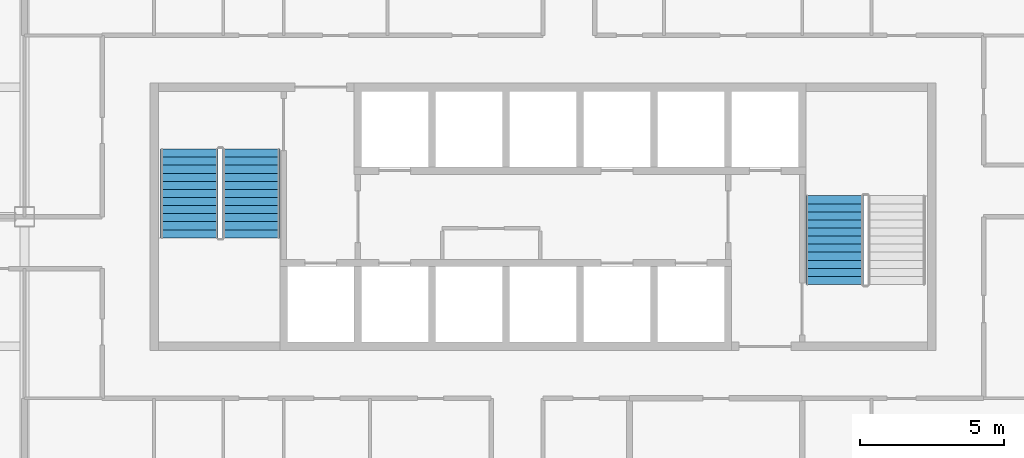
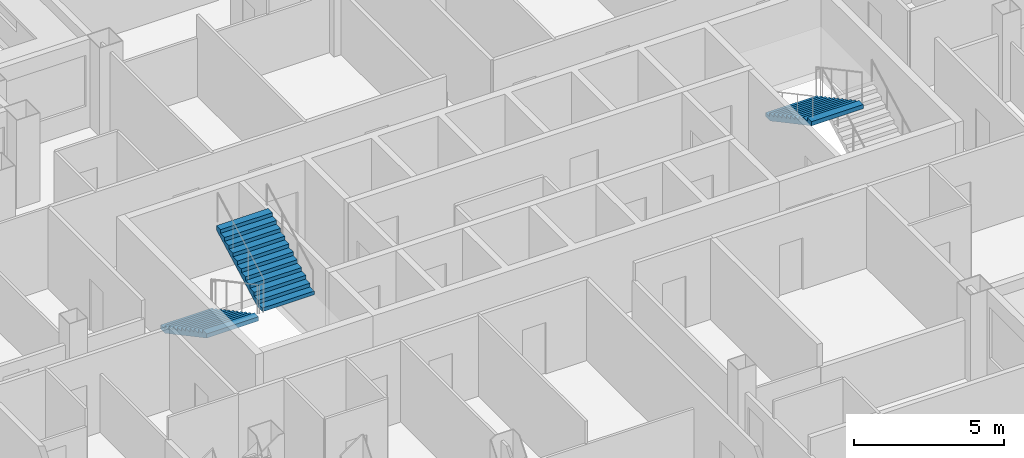
# One storey, part 11 of 15: 3 stair flights, 2 elements without a shape of their own.
"""IFC4 building model written with IfcOpenShell, lengths in metres."""

from ifc_helpers import new_model, si_unit, direction, frame, origin, place, context, subcontext, project, spatial, polygons, material, type_object, element, aggregate, save


model = new_model("IFC4")

# Units and contexts
model_context = context("Model", 3, precision=1e-05, world=origin(), true_north=direction((0.0, 1.0)))
body_context = subcontext(model_context, "Body", "Model", "MODEL_VIEW")
ifc_project = project(units=[si_unit("LENGTHUNIT", "METRE"), si_unit("AREAUNIT", "SQUARE_METRE"), si_unit("VOLUMEUNIT", "CUBIC_METRE"), si_unit("PLANEANGLEUNIT", "RADIAN"), si_unit("MASSUNIT", "GRAM", prefix="KILO")], contexts=[model_context])

# Site, building, storey
site_placement = place(None, origin())
site = spatial("IfcSite", under=ifc_project, at=site_placement, CompositionType="ELEMENT")
building_placement = place(site_placement, origin())
building = spatial("IfcBuilding", under=site, at=building_placement, Name="Caravel Reach Hotel and Residences", CompositionType="ELEMENT")
storey_placement = place(building_placement, frame((0.0, 0.0, 108.0)))
storey = spatial("IfcBuildingStorey", under=building, at=storey_placement, Name="L26", CompositionType="ELEMENT", Elevation=108.0)

# Stair, stair flights
ifc_material_1 = material(Name="Concrete C40", Category="concrete")
stair_type = type_object("IfcStairType", Name="Core stair", PredefinedType="HALF_TURN_STAIR", material=ifc_material_1)
stair_1_placement = place(storey_placement, origin())
stair_1 = element("IfcStair", 1, at=stair_1_placement, inside=storey, type_object=stair_type, Name="L26 Exit stair A", PredefinedType="HALF_TURN_STAIR")
ifc_material_2 = material(Name="Concrete C40", Category="concrete")
stair_flight_type = type_object("IfcStairFlightType", Name="Core stair flight", PredefinedType="STRAIGHT", material=ifc_material_2)
stair_flight_1_placement = place(storey_placement, frame((19.22509765625, 29.35009765625, 0.0), z_axis=(0.0, 0.0, 1.0), x_axis=(0.0, -1.0, 0.0)))
stair_flight_1 = element("IfcStairFlight", 2, at=stair_flight_1_placement, type_object=stair_flight_type, Name="ST-A flight 1", NumberOfRisers=12, NumberOfTreads=11, PredefinedType="STRAIGHT", RiserHeight=0.15, TreadLength=0.28, context=body_context, shape_type="Tessellation", body=[
    polygons([(0.3174408016601862, 1.0, 0.0), (0.3174408016601862, 0.6666666666666667, 0.0), (0.3174408016601862, 0.33333333333333337, 0.0), (0.3174408016601862, 0.0, 0.0), (0.3174408016601862, -0.33333333333333326, 0.0), (0.3174408016601862, -0.6666666666666667, 0.0), (0.3174408016601862, -1.0, 0.0), (3.081, 1.0, 1.479942427682043), (3.081, 0.6666666666666667, 1.479942427682043), (3.081, 0.33333333333333337, 1.479942427682043), (3.081, 0.0, 1.479942427682043), (3.081, -0.33333333333333326, 1.479942427682043), (3.081, -0.6666666666666667, 1.479942427682043), (3.081, -1.0, 1.479942427682043), (3.081, 1.0, 1.65), (3.081, 0.6666666666666667, 1.65), (3.081, 0.33333333333333337, 1.65), (3.081, 0.0, 1.65), (3.081, -0.33333333333333326, 1.65), (3.081, -0.6666666666666667, 1.65), (3.081, -1.0, 1.65), (2.8000000000000003, 1.0, 1.65), (2.8000000000000003, 0.6666666666666667, 1.65), (2.8000000000000003, 0.33333333333333337, 1.65), (2.8000000000000003, 0.0, 1.65), (2.8000000000000003, -0.33333333333333326, 1.65), (2.8000000000000003, -0.6666666666666667, 1.65), (2.8000000000000003, -1.0, 1.65), (2.8000000000000003, 1.0, 1.5), (2.8000000000000003, 0.6666666666666667, 1.5), (2.8000000000000003, 0.33333333333333337, 1.5), (2.8000000000000003, 0.0, 1.5), (2.8000000000000003, -0.33333333333333326, 1.5), (2.8000000000000003, -0.6666666666666667, 1.5), (2.8000000000000003, -1.0, 1.5), (2.5200000000000005, 1.0, 1.5), (2.5200000000000005, 0.6666666666666667, 1.5), (2.5200000000000005, 0.33333333333333337, 1.5), (2.5200000000000005, 0.0, 1.5), (2.5200000000000005, -0.33333333333333326, 1.5), (2.5200000000000005, -0.6666666666666667, 1.5), (2.5200000000000005, -1.0, 1.5), (2.5200000000000005, 1.0, 1.3499999999999999), (2.5200000000000005, 0.6666666666666667, 1.3499999999999999), (2.5200000000000005, 0.33333333333333337, 1.3499999999999999), (2.5200000000000005, 0.0, 1.3499999999999999), (2.5200000000000005, -0.33333333333333326, 1.3499999999999999), (2.5200000000000005, -0.6666666666666667, 1.3499999999999999), (2.5200000000000005, -1.0, 1.3499999999999999), (2.24, 1.0, 1.3499999999999999), (2.24, 0.6666666666666667, 1.3499999999999999), (2.24, 0.33333333333333337, 1.3499999999999999), (2.24, 0.0, 1.3499999999999999), (2.24, -0.33333333333333326, 1.3499999999999999), (2.24, -0.6666666666666667, 1.3499999999999999), (2.24, -1.0, 1.3499999999999999), (2.24, 1.0, 1.2), (2.24, 0.6666666666666667, 1.2), (2.24, 0.33333333333333337, 1.2), (2.24, 0.0, 1.2), (2.24, -0.33333333333333326, 1.2), (2.24, -0.6666666666666667, 1.2), (2.24, -1.0, 1.2), (1.9600000000000002, 1.0, 1.2), (1.9600000000000002, 0.6666666666666667, 1.2), (1.9600000000000002, 0.33333333333333337, 1.2), (1.9600000000000002, 0.0, 1.2), (1.9600000000000002, -0.33333333333333326, 1.2), (1.9600000000000002, -0.6666666666666667, 1.2), (1.9600000000000002, -1.0, 1.2), (1.9600000000000002, 1.0, 1.05), (1.9600000000000002, 0.6666666666666667, 1.05), (1.9600000000000002, 0.33333333333333337, 1.05), (1.9600000000000002, 0.0, 1.05), (1.9600000000000002, -0.33333333333333326, 1.05), (1.9600000000000002, -0.6666666666666667, 1.05), (1.9600000000000002, -1.0, 1.05), (1.6800000000000002, 1.0, 1.05), (1.6800000000000002, 0.6666666666666667, 1.05), (1.6800000000000002, 0.33333333333333337, 1.05), (1.6800000000000002, 0.0, 1.05), (1.6800000000000002, -0.33333333333333326, 1.05), (1.6800000000000002, -0.6666666666666667, 1.05), (1.6800000000000002, -1.0, 1.05), (1.6800000000000002, 1.0, 0.8999999999999999), (1.6800000000000002, 0.6666666666666667, 0.8999999999999999), (1.6800000000000002, 0.33333333333333337, 0.8999999999999999), (1.6800000000000002, 0.0, 0.8999999999999999), (1.6800000000000002, -0.33333333333333326, 0.8999999999999999), (1.6800000000000002, -0.6666666666666667, 0.8999999999999999), (1.6800000000000002, -1.0, 0.8999999999999999), (1.4000000000000001, 1.0, 0.8999999999999999), (1.4000000000000001, 0.6666666666666667, 0.8999999999999999), (1.4000000000000001, 0.33333333333333337, 0.8999999999999999), (1.4000000000000001, 0.0, 0.8999999999999999), (1.4000000000000001, -0.33333333333333326, 0.8999999999999999), (1.4000000000000001, -0.6666666666666667, 0.8999999999999999), (1.4000000000000001, -1.0, 0.8999999999999999), (1.4000000000000001, 1.0, 0.75), (1.4000000000000001, 0.6666666666666667, 0.75), (1.4000000000000001, 0.33333333333333337, 0.75), (1.4000000000000001, 0.0, 0.75), (1.4000000000000001, -0.33333333333333326, 0.75), (1.4000000000000001, -0.6666666666666667, 0.75), (1.4000000000000001, -1.0, 0.75), (1.12, 1.0, 0.75), (1.12, 0.6666666666666667, 0.75), (1.12, 0.33333333333333337, 0.75), (1.12, 0.0, 0.75), (1.12, -0.33333333333333326, 0.75), (1.12, -0.6666666666666667, 0.75), (1.12, -1.0, 0.75), (1.12, 1.0, 0.6), (1.12, 0.6666666666666667, 0.6), (1.12, 0.33333333333333337, 0.6), (1.12, 0.0, 0.6), (1.12, -0.33333333333333326, 0.6), (1.12, -0.6666666666666667, 0.6), (1.12, -1.0, 0.6), (0.8400000000000001, 1.0, 0.6), (0.8400000000000001, 0.6666666666666667, 0.6), (0.8400000000000001, 0.33333333333333337, 0.6), (0.8400000000000001, 0.0, 0.6), (0.8400000000000001, -0.33333333333333326, 0.6), (0.8400000000000001, -0.6666666666666667, 0.6), (0.8400000000000001, -1.0, 0.6), (0.8400000000000001, 1.0, 0.44999999999999996), (0.8400000000000001, 0.6666666666666667, 0.44999999999999996), (0.8400000000000001, 0.33333333333333337, 0.44999999999999996), (0.8400000000000001, 0.0, 0.44999999999999996), (0.8400000000000001, -0.33333333333333326, 0.44999999999999996), (0.8400000000000001, -0.6666666666666667, 0.44999999999999996), (0.8400000000000001, -1.0, 0.44999999999999996), (0.56, 1.0, 0.44999999999999996), (0.56, 0.6666666666666667, 0.44999999999999996), (0.56, 0.33333333333333337, 0.44999999999999996), (0.56, 0.0, 0.44999999999999996), (0.56, -0.33333333333333326, 0.44999999999999996), (0.56, -0.6666666666666667, 0.44999999999999996), (0.56, -1.0, 0.44999999999999996), (0.56, 1.0, 0.3), (0.56, 0.6666666666666667, 0.3), (0.56, 0.33333333333333337, 0.3), (0.56, 0.0, 0.3), (0.56, -0.33333333333333326, 0.3), (0.56, -0.6666666666666667, 0.3), (0.56, -1.0, 0.3), (0.28, 1.0, 0.3), (0.28, 0.6666666666666667, 0.3), (0.28, 0.33333333333333337, 0.3), (0.28, 0.0, 0.3), (0.28, -0.33333333333333326, 0.3), (0.28, -0.6666666666666667, 0.3), (0.28, -1.0, 0.3), (0.28, 1.0, 0.15), (0.28, 0.6666666666666667, 0.15), (0.28, 0.33333333333333337, 0.15), (0.28, 0.0, 0.15), (0.28, -0.33333333333333326, 0.15), (0.28, -0.6666666666666667, 0.15), (0.28, -1.0, 0.15), (-0.001, 1.0, 0.15), (-0.001, 0.6666666666666667, 0.15), (-0.001, 0.33333333333333337, 0.15), (-0.001, 0.0, 0.15), (-0.001, -0.33333333333333326, 0.15), (-0.001, -0.6666666666666667, 0.15), (-0.001, -1.0, 0.15), (-0.001, 1.0, 0.0), (-0.001, 0.6666666666666667, 0.0), (-0.001, 0.33333333333333337, 0.0), (-0.001, 0.0, 0.0), (-0.001, -0.33333333333333326, 0.0), (-0.001, -0.6666666666666667, 0.0), (-0.001, -1.0, 0.0)], [[[169, 162, 155, 148, 141, 134, 127, 120, 113, 106, 99, 92, 85, 78, 71, 64, 57, 50, 43, 36, 29, 22, 15, 8, 1]], [[7, 14, 21, 28, 35, 42, 49, 56, 63, 70, 77, 84, 91, 98, 105, 112, 119, 126, 133, 140, 147, 154, 161, 168, 175]], [[1, 8, 9, 2]], [[2, 9, 10, 3]], [[3, 10, 11, 4]], [[4, 11, 12, 5]], [[5, 12, 13, 6]], [[6, 13, 14, 7]], [[8, 15, 16, 9]], [[9, 16, 17, 10]], [[10, 17, 18, 11]], [[11, 18, 19, 12]], [[12, 19, 20, 13]], [[13, 20, 21, 14]], [[15, 22, 23, 16]], [[16, 23, 24, 17]], [[17, 24, 25, 18]], [[18, 25, 26, 19]], [[19, 26, 27, 20]], [[20, 27, 28, 21]], [[22, 29, 30, 23]], [[23, 30, 31, 24]], [[24, 31, 32, 25]], [[25, 32, 33, 26]], [[26, 33, 34, 27]], [[27, 34, 35, 28]], [[29, 36, 37, 30]], [[30, 37, 38, 31]], [[31, 38, 39, 32]], [[32, 39, 40, 33]], [[33, 40, 41, 34]], [[34, 41, 42, 35]], [[36, 43, 44, 37]], [[37, 44, 45, 38]], [[38, 45, 46, 39]], [[39, 46, 47, 40]], [[40, 47, 48, 41]], [[41, 48, 49, 42]], [[43, 50, 51, 44]], [[44, 51, 52, 45]], [[45, 52, 53, 46]], [[46, 53, 54, 47]], [[47, 54, 55, 48]], [[48, 55, 56, 49]], [[50, 57, 58, 51]], [[51, 58, 59, 52]], [[52, 59, 60, 53]], [[53, 60, 61, 54]], [[54, 61, 62, 55]], [[55, 62, 63, 56]], [[57, 64, 65, 58]], [[58, 65, 66, 59]], [[59, 66, 67, 60]], [[60, 67, 68, 61]], [[61, 68, 69, 62]], [[62, 69, 70, 63]], [[64, 71, 72, 65]], [[65, 72, 73, 66]], [[66, 73, 74, 67]], [[67, 74, 75, 68]], [[68, 75, 76, 69]], [[69, 76, 77, 70]], [[71, 78, 79, 72]], [[72, 79, 80, 73]], [[73, 80, 81, 74]], [[74, 81, 82, 75]], [[75, 82, 83, 76]], [[76, 83, 84, 77]], [[78, 85, 86, 79]], [[79, 86, 87, 80]], [[80, 87, 88, 81]], [[81, 88, 89, 82]], [[82, 89, 90, 83]], [[83, 90, 91, 84]], [[85, 92, 93, 86]], [[86, 93, 94, 87]], [[87, 94, 95, 88]], [[88, 95, 96, 89]], [[89, 96, 97, 90]], [[90, 97, 98, 91]], [[92, 99, 100, 93]], [[93, 100, 101, 94]], [[94, 101, 102, 95]], [[95, 102, 103, 96]], [[96, 103, 104, 97]], [[97, 104, 105, 98]], [[99, 106, 107, 100]], [[100, 107, 108, 101]], [[101, 108, 109, 102]], [[102, 109, 110, 103]], [[103, 110, 111, 104]], [[104, 111, 112, 105]], [[106, 113, 114, 107]], [[107, 114, 115, 108]], [[108, 115, 116, 109]], [[109, 116, 117, 110]], [[110, 117, 118, 111]], [[111, 118, 119, 112]], [[113, 120, 121, 114]], [[114, 121, 122, 115]], [[115, 122, 123, 116]], [[116, 123, 124, 117]], [[117, 124, 125, 118]], [[118, 125, 126, 119]], [[120, 127, 128, 121]], [[121, 128, 129, 122]], [[122, 129, 130, 123]], [[123, 130, 131, 124]], [[124, 131, 132, 125]], [[125, 132, 133, 126]], [[127, 134, 135, 128]], [[128, 135, 136, 129]], [[129, 136, 137, 130]], [[130, 137, 138, 131]], [[131, 138, 139, 132]], [[132, 139, 140, 133]], [[134, 141, 142, 135]], [[135, 142, 143, 136]], [[136, 143, 144, 137]], [[137, 144, 145, 138]], [[138, 145, 146, 139]], [[139, 146, 147, 140]], [[141, 148, 149, 142]], [[142, 149, 150, 143]], [[143, 150, 151, 144]], [[144, 151, 152, 145]], [[145, 152, 153, 146]], [[146, 153, 154, 147]], [[148, 155, 156, 149]], [[149, 156, 157, 150]], [[150, 157, 158, 151]], [[151, 158, 159, 152]], [[152, 159, 160, 153]], [[153, 160, 161, 154]], [[155, 162, 163, 156]], [[156, 163, 164, 157]], [[157, 164, 165, 158]], [[158, 165, 166, 159]], [[159, 166, 167, 160]], [[160, 167, 168, 161]], [[162, 169, 170, 163]], [[163, 170, 171, 164]], [[164, 171, 172, 165]], [[165, 172, 173, 166]], [[166, 173, 174, 167]], [[167, 174, 175, 168]], [[169, 1, 2, 170]], [[170, 2, 3, 171]], [[171, 3, 4, 172]], [[172, 4, 5, 173]], [[173, 5, 6, 174]], [[174, 6, 7, 175]]], closed=True),
])
stair_flight_2_placement = place(storey_placement, frame((21.375, 26.27001953125, 1.800048828125), z_axis=(0.0, 0.0, 1.0), x_axis=(0.0, 1.0, 0.0)))
stair_flight_2 = element("IfcStairFlight", 3, at=stair_flight_2_placement, type_object=stair_flight_type, Name="ST-A flight 2", NumberOfRisers=12, NumberOfTreads=11, PredefinedType="STRAIGHT", RiserHeight=0.15, TreadLength=0.28, context=body_context, shape_type="Tessellation", body=[
    polygons([(0.3174408016601862, 1.0, 0.0), (0.3174408016601862, 0.6666666666666667, 0.0), (0.3174408016601862, 0.33333333333333337, 0.0), (0.3174408016601862, 0.0, 0.0), (0.3174408016601862, -0.33333333333333326, 0.0), (0.3174408016601862, -0.6666666666666667, 0.0), (0.3174408016601862, -1.0, 0.0), (3.081, 1.0, 1.479942427682043), (3.081, 0.6666666666666667, 1.479942427682043), (3.081, 0.33333333333333337, 1.479942427682043), (3.081, 0.0, 1.479942427682043), (3.081, -0.33333333333333326, 1.479942427682043), (3.081, -0.6666666666666667, 1.479942427682043), (3.081, -1.0, 1.479942427682043), (3.081, 1.0, 1.65), (3.081, 0.6666666666666667, 1.65), (3.081, 0.33333333333333337, 1.65), (3.081, 0.0, 1.65), (3.081, -0.33333333333333326, 1.65), (3.081, -0.6666666666666667, 1.65), (3.081, -1.0, 1.65), (2.8000000000000003, 1.0, 1.65), (2.8000000000000003, 0.6666666666666667, 1.65), (2.8000000000000003, 0.33333333333333337, 1.65), (2.8000000000000003, 0.0, 1.65), (2.8000000000000003, -0.33333333333333326, 1.65), (2.8000000000000003, -0.6666666666666667, 1.65), (2.8000000000000003, -1.0, 1.65), (2.8000000000000003, 1.0, 1.5), (2.8000000000000003, 0.6666666666666667, 1.5), (2.8000000000000003, 0.33333333333333337, 1.5), (2.8000000000000003, 0.0, 1.5), (2.8000000000000003, -0.33333333333333326, 1.5), (2.8000000000000003, -0.6666666666666667, 1.5), (2.8000000000000003, -1.0, 1.5), (2.5200000000000005, 1.0, 1.5), (2.5200000000000005, 0.6666666666666667, 1.5), (2.5200000000000005, 0.33333333333333337, 1.5), (2.5200000000000005, 0.0, 1.5), (2.5200000000000005, -0.33333333333333326, 1.5), (2.5200000000000005, -0.6666666666666667, 1.5), (2.5200000000000005, -1.0, 1.5), (2.5200000000000005, 1.0, 1.3499999999999999), (2.5200000000000005, 0.6666666666666667, 1.3499999999999999), (2.5200000000000005, 0.33333333333333337, 1.3499999999999999), (2.5200000000000005, 0.0, 1.3499999999999999), (2.5200000000000005, -0.33333333333333326, 1.3499999999999999), (2.5200000000000005, -0.6666666666666667, 1.3499999999999999), (2.5200000000000005, -1.0, 1.3499999999999999), (2.24, 1.0, 1.3499999999999999), (2.24, 0.6666666666666667, 1.3499999999999999), (2.24, 0.33333333333333337, 1.3499999999999999), (2.24, 0.0, 1.3499999999999999), (2.24, -0.33333333333333326, 1.3499999999999999), (2.24, -0.6666666666666667, 1.3499999999999999), (2.24, -1.0, 1.3499999999999999), (2.24, 1.0, 1.2), (2.24, 0.6666666666666667, 1.2), (2.24, 0.33333333333333337, 1.2), (2.24, 0.0, 1.2), (2.24, -0.33333333333333326, 1.2), (2.24, -0.6666666666666667, 1.2), (2.24, -1.0, 1.2), (1.9600000000000002, 1.0, 1.2), (1.9600000000000002, 0.6666666666666667, 1.2), (1.9600000000000002, 0.33333333333333337, 1.2), (1.9600000000000002, 0.0, 1.2), (1.9600000000000002, -0.33333333333333326, 1.2), (1.9600000000000002, -0.6666666666666667, 1.2), (1.9600000000000002, -1.0, 1.2), (1.9600000000000002, 1.0, 1.05), (1.9600000000000002, 0.6666666666666667, 1.05), (1.9600000000000002, 0.33333333333333337, 1.05), (1.9600000000000002, 0.0, 1.05), (1.9600000000000002, -0.33333333333333326, 1.05), (1.9600000000000002, -0.6666666666666667, 1.05), (1.9600000000000002, -1.0, 1.05), (1.6800000000000002, 1.0, 1.05), (1.6800000000000002, 0.6666666666666667, 1.05), (1.6800000000000002, 0.33333333333333337, 1.05), (1.6800000000000002, 0.0, 1.05), (1.6800000000000002, -0.33333333333333326, 1.05), (1.6800000000000002, -0.6666666666666667, 1.05), (1.6800000000000002, -1.0, 1.05), (1.6800000000000002, 1.0, 0.8999999999999999), (1.6800000000000002, 0.6666666666666667, 0.8999999999999999), (1.6800000000000002, 0.33333333333333337, 0.8999999999999999), (1.6800000000000002, 0.0, 0.8999999999999999), (1.6800000000000002, -0.33333333333333326, 0.8999999999999999), (1.6800000000000002, -0.6666666666666667, 0.8999999999999999), (1.6800000000000002, -1.0, 0.8999999999999999), (1.4000000000000001, 1.0, 0.8999999999999999), (1.4000000000000001, 0.6666666666666667, 0.8999999999999999), (1.4000000000000001, 0.33333333333333337, 0.8999999999999999), (1.4000000000000001, 0.0, 0.8999999999999999), (1.4000000000000001, -0.33333333333333326, 0.8999999999999999), (1.4000000000000001, -0.6666666666666667, 0.8999999999999999), (1.4000000000000001, -1.0, 0.8999999999999999), (1.4000000000000001, 1.0, 0.75), (1.4000000000000001, 0.6666666666666667, 0.75), (1.4000000000000001, 0.33333333333333337, 0.75), (1.4000000000000001, 0.0, 0.75), (1.4000000000000001, -0.33333333333333326, 0.75), (1.4000000000000001, -0.6666666666666667, 0.75), (1.4000000000000001, -1.0, 0.75), (1.12, 1.0, 0.75), (1.12, 0.6666666666666667, 0.75), (1.12, 0.33333333333333337, 0.75), (1.12, 0.0, 0.75), (1.12, -0.33333333333333326, 0.75), (1.12, -0.6666666666666667, 0.75), (1.12, -1.0, 0.75), (1.12, 1.0, 0.6), (1.12, 0.6666666666666667, 0.6), (1.12, 0.33333333333333337, 0.6), (1.12, 0.0, 0.6), (1.12, -0.33333333333333326, 0.6), (1.12, -0.6666666666666667, 0.6), (1.12, -1.0, 0.6), (0.8400000000000001, 1.0, 0.6), (0.8400000000000001, 0.6666666666666667, 0.6), (0.8400000000000001, 0.33333333333333337, 0.6), (0.8400000000000001, 0.0, 0.6), (0.8400000000000001, -0.33333333333333326, 0.6), (0.8400000000000001, -0.6666666666666667, 0.6), (0.8400000000000001, -1.0, 0.6), (0.8400000000000001, 1.0, 0.44999999999999996), (0.8400000000000001, 0.6666666666666667, 0.44999999999999996), (0.8400000000000001, 0.33333333333333337, 0.44999999999999996), (0.8400000000000001, 0.0, 0.44999999999999996), (0.8400000000000001, -0.33333333333333326, 0.44999999999999996), (0.8400000000000001, -0.6666666666666667, 0.44999999999999996), (0.8400000000000001, -1.0, 0.44999999999999996), (0.56, 1.0, 0.44999999999999996), (0.56, 0.6666666666666667, 0.44999999999999996), (0.56, 0.33333333333333337, 0.44999999999999996), (0.56, 0.0, 0.44999999999999996), (0.56, -0.33333333333333326, 0.44999999999999996), (0.56, -0.6666666666666667, 0.44999999999999996), (0.56, -1.0, 0.44999999999999996), (0.56, 1.0, 0.3), (0.56, 0.6666666666666667, 0.3), (0.56, 0.33333333333333337, 0.3), (0.56, 0.0, 0.3), (0.56, -0.33333333333333326, 0.3), (0.56, -0.6666666666666667, 0.3), (0.56, -1.0, 0.3), (0.28, 1.0, 0.3), (0.28, 0.6666666666666667, 0.3), (0.28, 0.33333333333333337, 0.3), (0.28, 0.0, 0.3), (0.28, -0.33333333333333326, 0.3), (0.28, -0.6666666666666667, 0.3), (0.28, -1.0, 0.3), (0.28, 1.0, 0.15), (0.28, 0.6666666666666667, 0.15), (0.28, 0.33333333333333337, 0.15), (0.28, 0.0, 0.15), (0.28, -0.33333333333333326, 0.15), (0.28, -0.6666666666666667, 0.15), (0.28, -1.0, 0.15), (-0.001, 1.0, 0.15), (-0.001, 0.6666666666666667, 0.15), (-0.001, 0.33333333333333337, 0.15), (-0.001, 0.0, 0.15), (-0.001, -0.33333333333333326, 0.15), (-0.001, -0.6666666666666667, 0.15), (-0.001, -1.0, 0.15), (-0.001, 1.0, 0.0), (-0.001, 0.6666666666666667, 0.0), (-0.001, 0.33333333333333337, 0.0), (-0.001, 0.0, 0.0), (-0.001, -0.33333333333333326, 0.0), (-0.001, -0.6666666666666667, 0.0), (-0.001, -1.0, 0.0)], [[[169, 162, 155, 148, 141, 134, 127, 120, 113, 106, 99, 92, 85, 78, 71, 64, 57, 50, 43, 36, 29, 22, 15, 8, 1]], [[7, 14, 21, 28, 35, 42, 49, 56, 63, 70, 77, 84, 91, 98, 105, 112, 119, 126, 133, 140, 147, 154, 161, 168, 175]], [[1, 8, 9, 2]], [[2, 9, 10, 3]], [[3, 10, 11, 4]], [[4, 11, 12, 5]], [[5, 12, 13, 6]], [[6, 13, 14, 7]], [[8, 15, 16, 9]], [[9, 16, 17, 10]], [[10, 17, 18, 11]], [[11, 18, 19, 12]], [[12, 19, 20, 13]], [[13, 20, 21, 14]], [[15, 22, 23, 16]], [[16, 23, 24, 17]], [[17, 24, 25, 18]], [[18, 25, 26, 19]], [[19, 26, 27, 20]], [[20, 27, 28, 21]], [[22, 29, 30, 23]], [[23, 30, 31, 24]], [[24, 31, 32, 25]], [[25, 32, 33, 26]], [[26, 33, 34, 27]], [[27, 34, 35, 28]], [[29, 36, 37, 30]], [[30, 37, 38, 31]], [[31, 38, 39, 32]], [[32, 39, 40, 33]], [[33, 40, 41, 34]], [[34, 41, 42, 35]], [[36, 43, 44, 37]], [[37, 44, 45, 38]], [[38, 45, 46, 39]], [[39, 46, 47, 40]], [[40, 47, 48, 41]], [[41, 48, 49, 42]], [[43, 50, 51, 44]], [[44, 51, 52, 45]], [[45, 52, 53, 46]], [[46, 53, 54, 47]], [[47, 54, 55, 48]], [[48, 55, 56, 49]], [[50, 57, 58, 51]], [[51, 58, 59, 52]], [[52, 59, 60, 53]], [[53, 60, 61, 54]], [[54, 61, 62, 55]], [[55, 62, 63, 56]], [[57, 64, 65, 58]], [[58, 65, 66, 59]], [[59, 66, 67, 60]], [[60, 67, 68, 61]], [[61, 68, 69, 62]], [[62, 69, 70, 63]], [[64, 71, 72, 65]], [[65, 72, 73, 66]], [[66, 73, 74, 67]], [[67, 74, 75, 68]], [[68, 75, 76, 69]], [[69, 76, 77, 70]], [[71, 78, 79, 72]], [[72, 79, 80, 73]], [[73, 80, 81, 74]], [[74, 81, 82, 75]], [[75, 82, 83, 76]], [[76, 83, 84, 77]], [[78, 85, 86, 79]], [[79, 86, 87, 80]], [[80, 87, 88, 81]], [[81, 88, 89, 82]], [[82, 89, 90, 83]], [[83, 90, 91, 84]], [[85, 92, 93, 86]], [[86, 93, 94, 87]], [[87, 94, 95, 88]], [[88, 95, 96, 89]], [[89, 96, 97, 90]], [[90, 97, 98, 91]], [[92, 99, 100, 93]], [[93, 100, 101, 94]], [[94, 101, 102, 95]], [[95, 102, 103, 96]], [[96, 103, 104, 97]], [[97, 104, 105, 98]], [[99, 106, 107, 100]], [[100, 107, 108, 101]], [[101, 108, 109, 102]], [[102, 109, 110, 103]], [[103, 110, 111, 104]], [[104, 111, 112, 105]], [[106, 113, 114, 107]], [[107, 114, 115, 108]], [[108, 115, 116, 109]], [[109, 116, 117, 110]], [[110, 117, 118, 111]], [[111, 118, 119, 112]], [[113, 120, 121, 114]], [[114, 121, 122, 115]], [[115, 122, 123, 116]], [[116, 123, 124, 117]], [[117, 124, 125, 118]], [[118, 125, 126, 119]], [[120, 127, 128, 121]], [[121, 128, 129, 122]], [[122, 129, 130, 123]], [[123, 130, 131, 124]], [[124, 131, 132, 125]], [[125, 132, 133, 126]], [[127, 134, 135, 128]], [[128, 135, 136, 129]], [[129, 136, 137, 130]], [[130, 137, 138, 131]], [[131, 138, 139, 132]], [[132, 139, 140, 133]], [[134, 141, 142, 135]], [[135, 142, 143, 136]], [[136, 143, 144, 137]], [[137, 144, 145, 138]], [[138, 145, 146, 139]], [[139, 146, 147, 140]], [[141, 148, 149, 142]], [[142, 149, 150, 143]], [[143, 150, 151, 144]], [[144, 151, 152, 145]], [[145, 152, 153, 146]], [[146, 153, 154, 147]], [[148, 155, 156, 149]], [[149, 156, 157, 150]], [[150, 157, 158, 151]], [[151, 158, 159, 152]], [[152, 159, 160, 153]], [[153, 160, 161, 154]], [[155, 162, 163, 156]], [[156, 163, 164, 157]], [[157, 164, 165, 158]], [[158, 165, 166, 159]], [[159, 166, 167, 160]], [[160, 167, 168, 161]], [[162, 169, 170, 163]], [[163, 170, 171, 164]], [[164, 171, 172, 165]], [[165, 172, 173, 166]], [[166, 173, 174, 167]], [[167, 174, 175, 168]], [[169, 1, 2, 170]], [[170, 2, 3, 171]], [[171, 3, 4, 172]], [[172, 4, 5, 173]], [[173, 5, 6, 174]], [[174, 6, 7, 175]]], closed=True),
])
aggregate(stair_1, [stair_flight_1, stair_flight_2])

# Stair, stair flight
stair_2_placement = place(storey_placement, origin())
stair_2 = element("IfcStair", 4, at=stair_2_placement, inside=storey, type_object=stair_type, Name="L26 Exit stair B", PredefinedType="HALF_TURN_STAIR")
stair_flight_3_placement = place(storey_placement, frame((41.625, 27.72998046875, 1.800048828125), z_axis=(0.0, 0.0, 1.0), x_axis=(0.0, -1.0, 0.0)))
stair_flight_3 = element("IfcStairFlight", 5, at=stair_flight_3_placement, type_object=stair_flight_type, Name="ST-B flight 2", NumberOfRisers=12, NumberOfTreads=11, PredefinedType="STRAIGHT", RiserHeight=0.15, TreadLength=0.28, context=body_context, shape_type="Tessellation", body=[
    polygons([(0.3174408016601862, 1.0, 0.0), (0.3174408016601862, 0.6666666666666667, 0.0), (0.3174408016601862, 0.33333333333333337, 0.0), (0.3174408016601862, 0.0, 0.0), (0.3174408016601862, -0.33333333333333326, 0.0), (0.3174408016601862, -0.6666666666666667, 0.0), (0.3174408016601862, -1.0, 0.0), (3.081, 1.0, 1.479942427682043), (3.081, 0.6666666666666667, 1.479942427682043), (3.081, 0.33333333333333337, 1.479942427682043), (3.081, 0.0, 1.479942427682043), (3.081, -0.33333333333333326, 1.479942427682043), (3.081, -0.6666666666666667, 1.479942427682043), (3.081, -1.0, 1.479942427682043), (3.081, 1.0, 1.65), (3.081, 0.6666666666666667, 1.65), (3.081, 0.33333333333333337, 1.65), (3.081, 0.0, 1.65), (3.081, -0.33333333333333326, 1.65), (3.081, -0.6666666666666667, 1.65), (3.081, -1.0, 1.65), (2.8000000000000003, 1.0, 1.65), (2.8000000000000003, 0.6666666666666667, 1.65), (2.8000000000000003, 0.33333333333333337, 1.65), (2.8000000000000003, 0.0, 1.65), (2.8000000000000003, -0.33333333333333326, 1.65), (2.8000000000000003, -0.6666666666666667, 1.65), (2.8000000000000003, -1.0, 1.65), (2.8000000000000003, 1.0, 1.5), (2.8000000000000003, 0.6666666666666667, 1.5), (2.8000000000000003, 0.33333333333333337, 1.5), (2.8000000000000003, 0.0, 1.5), (2.8000000000000003, -0.33333333333333326, 1.5), (2.8000000000000003, -0.6666666666666667, 1.5), (2.8000000000000003, -1.0, 1.5), (2.5200000000000005, 1.0, 1.5), (2.5200000000000005, 0.6666666666666667, 1.5), (2.5200000000000005, 0.33333333333333337, 1.5), (2.5200000000000005, 0.0, 1.5), (2.5200000000000005, -0.33333333333333326, 1.5), (2.5200000000000005, -0.6666666666666667, 1.5), (2.5200000000000005, -1.0, 1.5), (2.5200000000000005, 1.0, 1.3499999999999999), (2.5200000000000005, 0.6666666666666667, 1.3499999999999999), (2.5200000000000005, 0.33333333333333337, 1.3499999999999999), (2.5200000000000005, 0.0, 1.3499999999999999), (2.5200000000000005, -0.33333333333333326, 1.3499999999999999), (2.5200000000000005, -0.6666666666666667, 1.3499999999999999), (2.5200000000000005, -1.0, 1.3499999999999999), (2.24, 1.0, 1.3499999999999999), (2.24, 0.6666666666666667, 1.3499999999999999), (2.24, 0.33333333333333337, 1.3499999999999999), (2.24, 0.0, 1.3499999999999999), (2.24, -0.33333333333333326, 1.3499999999999999), (2.24, -0.6666666666666667, 1.3499999999999999), (2.24, -1.0, 1.3499999999999999), (2.24, 1.0, 1.2), (2.24, 0.6666666666666667, 1.2), (2.24, 0.33333333333333337, 1.2), (2.24, 0.0, 1.2), (2.24, -0.33333333333333326, 1.2), (2.24, -0.6666666666666667, 1.2), (2.24, -1.0, 1.2), (1.9600000000000002, 1.0, 1.2), (1.9600000000000002, 0.6666666666666667, 1.2), (1.9600000000000002, 0.33333333333333337, 1.2), (1.9600000000000002, 0.0, 1.2), (1.9600000000000002, -0.33333333333333326, 1.2), (1.9600000000000002, -0.6666666666666667, 1.2), (1.9600000000000002, -1.0, 1.2), (1.9600000000000002, 1.0, 1.05), (1.9600000000000002, 0.6666666666666667, 1.05), (1.9600000000000002, 0.33333333333333337, 1.05), (1.9600000000000002, 0.0, 1.05), (1.9600000000000002, -0.33333333333333326, 1.05), (1.9600000000000002, -0.6666666666666667, 1.05), (1.9600000000000002, -1.0, 1.05), (1.6800000000000002, 1.0, 1.05), (1.6800000000000002, 0.6666666666666667, 1.05), (1.6800000000000002, 0.33333333333333337, 1.05), (1.6800000000000002, 0.0, 1.05), (1.6800000000000002, -0.33333333333333326, 1.05), (1.6800000000000002, -0.6666666666666667, 1.05), (1.6800000000000002, -1.0, 1.05), (1.6800000000000002, 1.0, 0.8999999999999999), (1.6800000000000002, 0.6666666666666667, 0.8999999999999999), (1.6800000000000002, 0.33333333333333337, 0.8999999999999999), (1.6800000000000002, 0.0, 0.8999999999999999), (1.6800000000000002, -0.33333333333333326, 0.8999999999999999), (1.6800000000000002, -0.6666666666666667, 0.8999999999999999), (1.6800000000000002, -1.0, 0.8999999999999999), (1.4000000000000001, 1.0, 0.8999999999999999), (1.4000000000000001, 0.6666666666666667, 0.8999999999999999), (1.4000000000000001, 0.33333333333333337, 0.8999999999999999), (1.4000000000000001, 0.0, 0.8999999999999999), (1.4000000000000001, -0.33333333333333326, 0.8999999999999999), (1.4000000000000001, -0.6666666666666667, 0.8999999999999999), (1.4000000000000001, -1.0, 0.8999999999999999), (1.4000000000000001, 1.0, 0.75), (1.4000000000000001, 0.6666666666666667, 0.75), (1.4000000000000001, 0.33333333333333337, 0.75), (1.4000000000000001, 0.0, 0.75), (1.4000000000000001, -0.33333333333333326, 0.75), (1.4000000000000001, -0.6666666666666667, 0.75), (1.4000000000000001, -1.0, 0.75), (1.12, 1.0, 0.75), (1.12, 0.6666666666666667, 0.75), (1.12, 0.33333333333333337, 0.75), (1.12, 0.0, 0.75), (1.12, -0.33333333333333326, 0.75), (1.12, -0.6666666666666667, 0.75), (1.12, -1.0, 0.75), (1.12, 1.0, 0.6), (1.12, 0.6666666666666667, 0.6), (1.12, 0.33333333333333337, 0.6), (1.12, 0.0, 0.6), (1.12, -0.33333333333333326, 0.6), (1.12, -0.6666666666666667, 0.6), (1.12, -1.0, 0.6), (0.8400000000000001, 1.0, 0.6), (0.8400000000000001, 0.6666666666666667, 0.6), (0.8400000000000001, 0.33333333333333337, 0.6), (0.8400000000000001, 0.0, 0.6), (0.8400000000000001, -0.33333333333333326, 0.6), (0.8400000000000001, -0.6666666666666667, 0.6), (0.8400000000000001, -1.0, 0.6), (0.8400000000000001, 1.0, 0.44999999999999996), (0.8400000000000001, 0.6666666666666667, 0.44999999999999996), (0.8400000000000001, 0.33333333333333337, 0.44999999999999996), (0.8400000000000001, 0.0, 0.44999999999999996), (0.8400000000000001, -0.33333333333333326, 0.44999999999999996), (0.8400000000000001, -0.6666666666666667, 0.44999999999999996), (0.8400000000000001, -1.0, 0.44999999999999996), (0.56, 1.0, 0.44999999999999996), (0.56, 0.6666666666666667, 0.44999999999999996), (0.56, 0.33333333333333337, 0.44999999999999996), (0.56, 0.0, 0.44999999999999996), (0.56, -0.33333333333333326, 0.44999999999999996), (0.56, -0.6666666666666667, 0.44999999999999996), (0.56, -1.0, 0.44999999999999996), (0.56, 1.0, 0.3), (0.56, 0.6666666666666667, 0.3), (0.56, 0.33333333333333337, 0.3), (0.56, 0.0, 0.3), (0.56, -0.33333333333333326, 0.3), (0.56, -0.6666666666666667, 0.3), (0.56, -1.0, 0.3), (0.28, 1.0, 0.3), (0.28, 0.6666666666666667, 0.3), (0.28, 0.33333333333333337, 0.3), (0.28, 0.0, 0.3), (0.28, -0.33333333333333326, 0.3), (0.28, -0.6666666666666667, 0.3), (0.28, -1.0, 0.3), (0.28, 1.0, 0.15), (0.28, 0.6666666666666667, 0.15), (0.28, 0.33333333333333337, 0.15), (0.28, 0.0, 0.15), (0.28, -0.33333333333333326, 0.15), (0.28, -0.6666666666666667, 0.15), (0.28, -1.0, 0.15), (-0.001, 1.0, 0.15), (-0.001, 0.6666666666666667, 0.15), (-0.001, 0.33333333333333337, 0.15), (-0.001, 0.0, 0.15), (-0.001, -0.33333333333333326, 0.15), (-0.001, -0.6666666666666667, 0.15), (-0.001, -1.0, 0.15), (-0.001, 1.0, 0.0), (-0.001, 0.6666666666666667, 0.0), (-0.001, 0.33333333333333337, 0.0), (-0.001, 0.0, 0.0), (-0.001, -0.33333333333333326, 0.0), (-0.001, -0.6666666666666667, 0.0), (-0.001, -1.0, 0.0)], [[[169, 162, 155, 148, 141, 134, 127, 120, 113, 106, 99, 92, 85, 78, 71, 64, 57, 50, 43, 36, 29, 22, 15, 8, 1]], [[7, 14, 21, 28, 35, 42, 49, 56, 63, 70, 77, 84, 91, 98, 105, 112, 119, 126, 133, 140, 147, 154, 161, 168, 175]], [[1, 8, 9, 2]], [[2, 9, 10, 3]], [[3, 10, 11, 4]], [[4, 11, 12, 5]], [[5, 12, 13, 6]], [[6, 13, 14, 7]], [[8, 15, 16, 9]], [[9, 16, 17, 10]], [[10, 17, 18, 11]], [[11, 18, 19, 12]], [[12, 19, 20, 13]], [[13, 20, 21, 14]], [[15, 22, 23, 16]], [[16, 23, 24, 17]], [[17, 24, 25, 18]], [[18, 25, 26, 19]], [[19, 26, 27, 20]], [[20, 27, 28, 21]], [[22, 29, 30, 23]], [[23, 30, 31, 24]], [[24, 31, 32, 25]], [[25, 32, 33, 26]], [[26, 33, 34, 27]], [[27, 34, 35, 28]], [[29, 36, 37, 30]], [[30, 37, 38, 31]], [[31, 38, 39, 32]], [[32, 39, 40, 33]], [[33, 40, 41, 34]], [[34, 41, 42, 35]], [[36, 43, 44, 37]], [[37, 44, 45, 38]], [[38, 45, 46, 39]], [[39, 46, 47, 40]], [[40, 47, 48, 41]], [[41, 48, 49, 42]], [[43, 50, 51, 44]], [[44, 51, 52, 45]], [[45, 52, 53, 46]], [[46, 53, 54, 47]], [[47, 54, 55, 48]], [[48, 55, 56, 49]], [[50, 57, 58, 51]], [[51, 58, 59, 52]], [[52, 59, 60, 53]], [[53, 60, 61, 54]], [[54, 61, 62, 55]], [[55, 62, 63, 56]], [[57, 64, 65, 58]], [[58, 65, 66, 59]], [[59, 66, 67, 60]], [[60, 67, 68, 61]], [[61, 68, 69, 62]], [[62, 69, 70, 63]], [[64, 71, 72, 65]], [[65, 72, 73, 66]], [[66, 73, 74, 67]], [[67, 74, 75, 68]], [[68, 75, 76, 69]], [[69, 76, 77, 70]], [[71, 78, 79, 72]], [[72, 79, 80, 73]], [[73, 80, 81, 74]], [[74, 81, 82, 75]], [[75, 82, 83, 76]], [[76, 83, 84, 77]], [[78, 85, 86, 79]], [[79, 86, 87, 80]], [[80, 87, 88, 81]], [[81, 88, 89, 82]], [[82, 89, 90, 83]], [[83, 90, 91, 84]], [[85, 92, 93, 86]], [[86, 93, 94, 87]], [[87, 94, 95, 88]], [[88, 95, 96, 89]], [[89, 96, 97, 90]], [[90, 97, 98, 91]], [[92, 99, 100, 93]], [[93, 100, 101, 94]], [[94, 101, 102, 95]], [[95, 102, 103, 96]], [[96, 103, 104, 97]], [[97, 104, 105, 98]], [[99, 106, 107, 100]], [[100, 107, 108, 101]], [[101, 108, 109, 102]], [[102, 109, 110, 103]], [[103, 110, 111, 104]], [[104, 111, 112, 105]], [[106, 113, 114, 107]], [[107, 114, 115, 108]], [[108, 115, 116, 109]], [[109, 116, 117, 110]], [[110, 117, 118, 111]], [[111, 118, 119, 112]], [[113, 120, 121, 114]], [[114, 121, 122, 115]], [[115, 122, 123, 116]], [[116, 123, 124, 117]], [[117, 124, 125, 118]], [[118, 125, 126, 119]], [[120, 127, 128, 121]], [[121, 128, 129, 122]], [[122, 129, 130, 123]], [[123, 130, 131, 124]], [[124, 131, 132, 125]], [[125, 132, 133, 126]], [[127, 134, 135, 128]], [[128, 135, 136, 129]], [[129, 136, 137, 130]], [[130, 137, 138, 131]], [[131, 138, 139, 132]], [[132, 139, 140, 133]], [[134, 141, 142, 135]], [[135, 142, 143, 136]], [[136, 143, 144, 137]], [[137, 144, 145, 138]], [[138, 145, 146, 139]], [[139, 146, 147, 140]], [[141, 148, 149, 142]], [[142, 149, 150, 143]], [[143, 150, 151, 144]], [[144, 151, 152, 145]], [[145, 152, 153, 146]], [[146, 153, 154, 147]], [[148, 155, 156, 149]], [[149, 156, 157, 150]], [[150, 157, 158, 151]], [[151, 158, 159, 152]], [[152, 159, 160, 153]], [[153, 160, 161, 154]], [[155, 162, 163, 156]], [[156, 163, 164, 157]], [[157, 164, 165, 158]], [[158, 165, 166, 159]], [[159, 166, 167, 160]], [[160, 167, 168, 161]], [[162, 169, 170, 163]], [[163, 170, 171, 164]], [[164, 171, 172, 165]], [[165, 172, 173, 166]], [[166, 173, 174, 167]], [[167, 174, 175, 168]], [[169, 1, 2, 170]], [[170, 2, 3, 171]], [[171, 3, 4, 172]], [[172, 4, 5, 173]], [[173, 5, 6, 174]], [[174, 6, 7, 175]]], closed=True),
])
aggregate(stair_2, [stair_flight_3])

save(model, "model.ifc")
